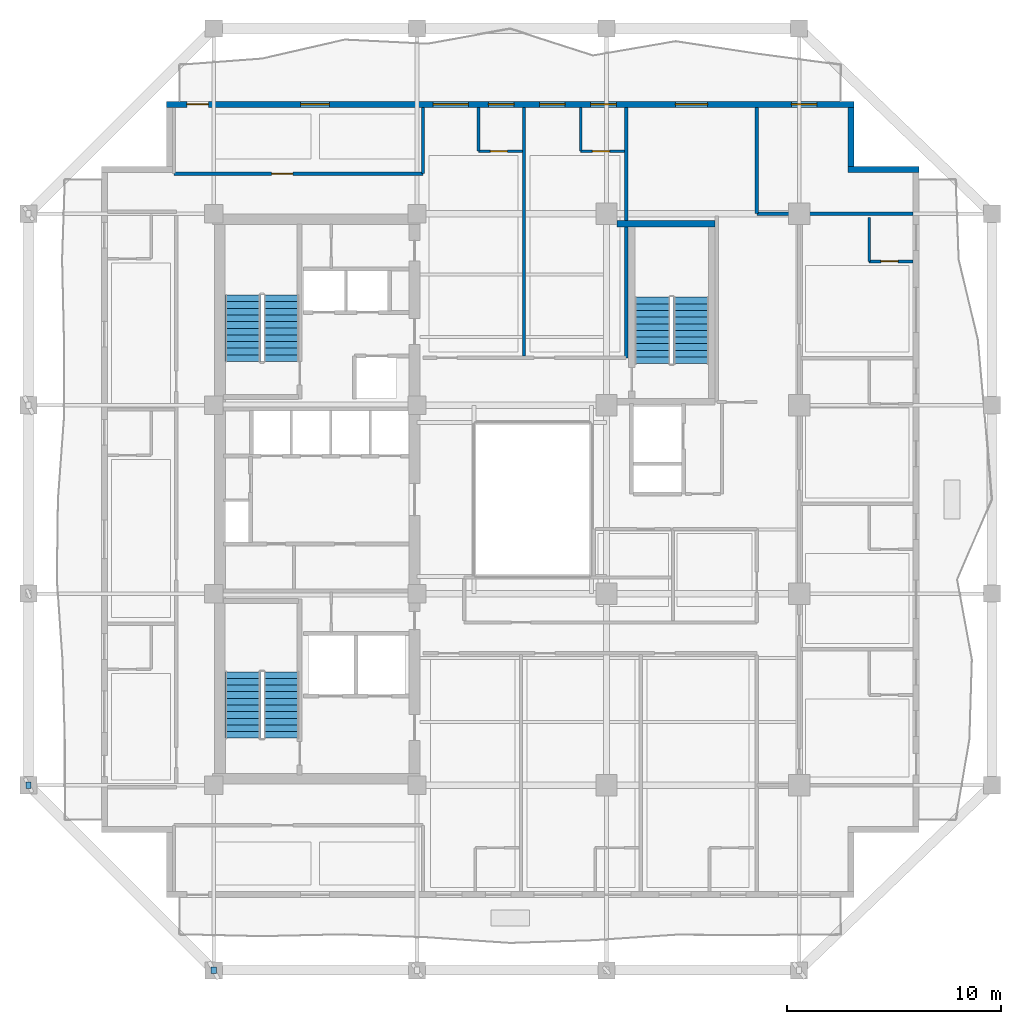
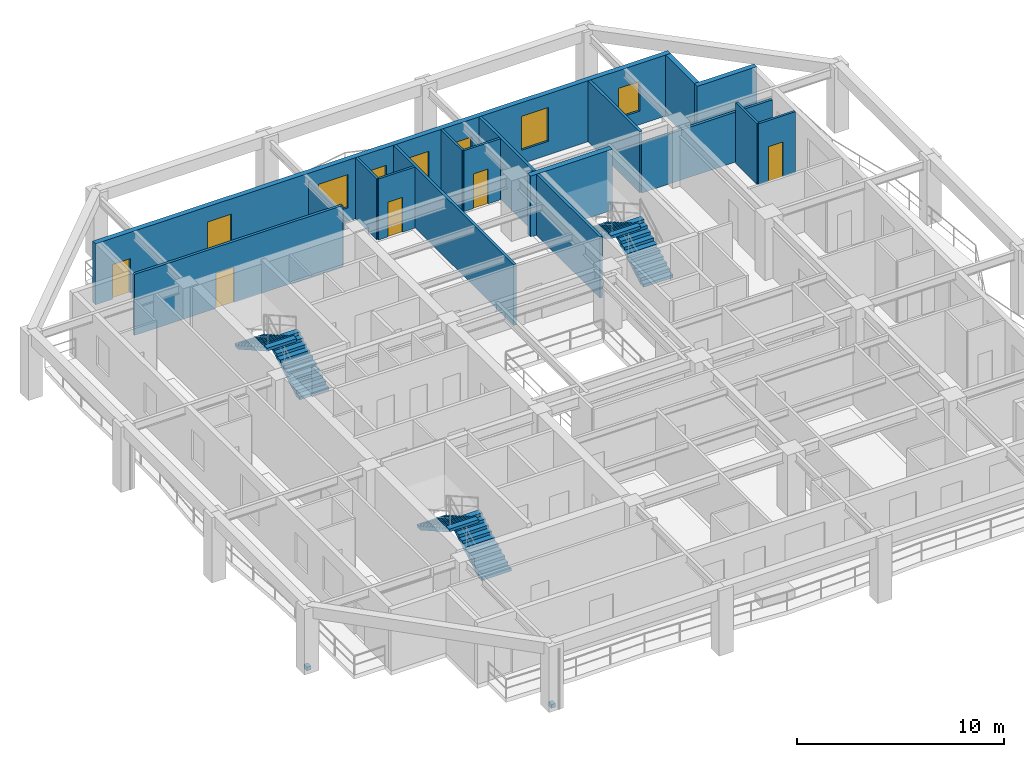
# One storey, part 7 of 12: 16 walls, 7 windows, 6 stair flights, 5 doors, 2 discrete accessories, 12 openings, 3 elements without a shape of their own.
"""IFC4 building model written with IfcOpenShell, lengths in metres."""

from ifc_helpers import new_model, si_unit, direction, frame, frame_2d, origin, origin_2d, place, context, subcontext, project, spatial, polyline, rectangle, outline, extrude, material, layer, layer_set, type_object, element, fill, aggregate, save


model = new_model("IFC4")

# Units and contexts
model_context = context("Model", 3, precision=1e-05, world=origin(), true_north=direction((0.0, 1.0)))
body_context = subcontext(model_context, "Body", "Model", "MODEL_VIEW")
ifc_project = project(units=[si_unit("LENGTHUNIT", "METRE"), si_unit("AREAUNIT", "SQUARE_METRE"), si_unit("VOLUMEUNIT", "CUBIC_METRE"), si_unit("PLANEANGLEUNIT", "RADIAN"), si_unit("MASSUNIT", "GRAM", prefix="KILO")], contexts=[model_context])

# Site, building, storey
site_placement = place(None, origin())
site = spatial("IfcSite", under=ifc_project, at=site_placement, CompositionType="ELEMENT")
building_placement = place(site_placement, origin())
building = spatial("IfcBuilding", under=site, at=building_placement, Name="Kundavana Baori Tower", CompositionType="ELEMENT")
storey_placement = place(building_placement, frame((0.0, 0.0, 134.800048828125)))
storey = spatial("IfcBuildingStorey", under=building, at=storey_placement, Name="L32", CompositionType="ELEMENT", Elevation=134.800048828125)

# Walls
ifc_material_1 = material(Name="Red-Buff Dholpur Sandstone Cladding on Concrete C40/50", Category="masonry")
ifc_layer_1 = layer(ifc_material_1, 0.280029296875, Name="WL-EXT-SAND-280")
ifc_layer_set_1 = layer_set([ifc_layer_1], Name="Red-Buff Dholpur Sandstone Cladding on Concrete C40/50")
wall_type_1 = type_object("IfcWallType", Name="WL-EXT-SAND-280", PredefinedType="STANDARD", material=ifc_layer_set_1)
wall_1_placement = place(storey_placement, frame((48.39990234375, 44.010009765625, 0.0), z_axis=(0.0, 0.0, 1.0), x_axis=(-1.0, 0.0, 0.0)))
element("IfcWall", 1, at=wall_1_placement, inside=storey, type_object=wall_type_1, Name="L32 Exterior Insulated Facade Wall 05", PredefinedType="STANDARD", context=body_context, shape_type="SweptSolid", body=[
    extrude(rectangle(XDim=3.329833984375, YDim=0.280029296875, at=frame_2d((1.6650390625, 0.0))), origin(), (0.0, 0.0, 1.0), 3.599853515625),
])
wall_2_placement = place(storey_placement, frame((45.2099609375, 44.14990234375, 0.0), z_axis=(0.0, 0.0, 1.0), x_axis=(0.0, 1.0, 0.0)))
element("IfcWall", 2, at=wall_2_placement, inside=storey, type_object=wall_type_1, Name="L32 Exterior Insulated Facade Wall 06", PredefinedType="STANDARD", context=body_context, shape_type="SweptSolid", body=[
    extrude(rectangle(XDim=2.77001953125, YDim=0.280029296875, at=frame_2d((1.385009765625, 0.0))), origin(), (0.0, 0.0, 1.0), 3.599853515625),
])

# Wall, openings, door, windows
wall_3_placement = place(storey_placement, frame((45.35009765625, 47.06005859375, 0.0), z_axis=(0.0, 0.0, 1.0), x_axis=(-1.0, 0.0, 0.0)))
wall_3 = element("IfcWall", 3, at=wall_3_placement, inside=storey, type_object=wall_type_1, Name="L32 Exterior Insulated Facade Wall 07", PredefinedType="STANDARD", context=body_context, shape_type="SweptSolid", body=[
    extrude(rectangle(XDim=32.10009765625, YDim=0.280029296875, at=frame_2d((16.050048828125, 0.0))), origin(), (0.0, 0.0, 1.0), 3.599853515625),
])
opening_1_placement = place(wall_3_placement, frame((30.14990234375, 0.0, 0.0)))
opening_1 = element("IfcOpeningElement", 4, at=opening_1_placement, cuts=wall_3, Name="Opening BD-1", PredefinedType="OPENING", context=body_context, shape_type="SweptSolid", body=[
    extrude(rectangle(XDim=1.0, YDim=2.050048828125, at=frame_2d((0.5, 1.02490234375))), frame((0.0, 0.14990234375, 0.0), z_axis=(0.0, -1.0, 0.0), x_axis=(1.0, 0.0, 0.0)), (0.0, 0.0, 1.0), 0.300048828125),
])
opening_2_placement = place(wall_3_placement, frame((24.4951171875, 0.0, 0.800048828125)))
opening_2 = element("IfcOpeningElement", 5, at=opening_2_placement, cuts=wall_3, Name="Opening W-07", PredefinedType="OPENING", context=body_context, shape_type="SweptSolid", body=[
    extrude(rectangle(XDim=1.35009765625, YDim=1.89990234375, at=frame_2d((0.675048828125, 0.949951171875))), frame((0.0, 0.14990234375, 0.0), z_axis=(0.0, -1.0, 0.0), x_axis=(1.0, 0.0, 0.0)), (0.0, 0.0, 1.0), 0.300048828125),
])
opening_3_placement = place(wall_3_placement, frame((18.0048828125, 0.0, 0.800048828125)))
opening_3 = element("IfcOpeningElement", 6, at=opening_3_placement, cuts=wall_3, Name="Opening W-08", PredefinedType="OPENING", context=body_context, shape_type="SweptSolid", body=[
    extrude(rectangle(XDim=1.64990234375, YDim=1.949951171875, at=frame_2d((0.824951171875, 0.97509765625))), frame((0.0, 0.14990234375, 0.0), z_axis=(0.0, -1.0, 0.0), x_axis=(1.0, 0.0, 0.0)), (0.0, 0.0, 1.0), 0.300048828125),
])
opening_4_placement = place(wall_3_placement, frame((15.864990234375, 0.0, 0.800048828125)))
opening_4 = element("IfcOpeningElement", 7, at=opening_4_placement, cuts=wall_3, Name="Opening W-03", PredefinedType="OPENING", context=body_context, shape_type="SweptSolid", body=[
    extrude(rectangle(XDim=1.199951171875, YDim=1.75, at=frame_2d((0.60009765625, 0.875))), frame((0.0, 0.14990234375, 0.0), z_axis=(0.0, -1.0, 0.0), x_axis=(1.0, 0.0, 0.0)), (0.0, 0.0, 1.0), 0.300048828125),
])
opening_5_placement = place(wall_3_placement, frame((13.47998046875, 0.0, 0.800048828125)))
opening_5 = element("IfcOpeningElement", 8, at=opening_5_placement, cuts=wall_3, Name="Opening W-03", PredefinedType="OPENING", context=body_context, shape_type="SweptSolid", body=[
    extrude(rectangle(XDim=1.199951171875, YDim=1.75, at=frame_2d((0.60009765625, 0.875))), frame((0.0, 0.14990234375, 0.0), z_axis=(0.0, -1.0, 0.0), x_axis=(1.0, 0.0, 0.0)), (0.0, 0.0, 1.0), 0.300048828125),
])
opening_6_placement = place(wall_3_placement, frame((11.094970703125, 0.0, 0.800048828125)))
opening_6 = element("IfcOpeningElement", 9, at=opening_6_placement, cuts=wall_3, Name="Opening W-03", PredefinedType="OPENING", context=body_context, shape_type="SweptSolid", body=[
    extrude(rectangle(XDim=1.199951171875, YDim=1.75, at=frame_2d((0.60009765625, 0.875))), frame((0.0, 0.14990234375, 0.0), z_axis=(0.0, -1.0, 0.0), x_axis=(1.0, 0.0, 0.0)), (0.0, 0.0, 1.0), 0.300048828125),
])
opening_7_placement = place(wall_3_placement, frame((6.830078125, 0.0, 0.800048828125)))
opening_7 = element("IfcOpeningElement", 10, at=opening_7_placement, cuts=wall_3, Name="Opening W-02", PredefinedType="OPENING", context=body_context, shape_type="SweptSolid", body=[
    extrude(rectangle(XDim=1.5, YDim=2.0, at=frame_2d((0.75, 1.0))), frame((0.0, 0.14990234375, 0.0), z_axis=(0.0, -1.0, 0.0), x_axis=(1.0, 0.0, 0.0)), (0.0, 0.0, 1.0), 0.300048828125),
])
opening_8_placement = place(wall_3_placement, frame((1.719970703125, 0.0, 0.800048828125)))
opening_8 = element("IfcOpeningElement", 11, at=opening_8_placement, cuts=wall_3, Name="Opening W-03", PredefinedType="OPENING", context=body_context, shape_type="SweptSolid", body=[
    extrude(rectangle(XDim=1.199951171875, YDim=1.75, at=frame_2d((0.60009765625, 0.875))), frame((0.0, 0.14990234375, 0.0), z_axis=(0.0, -1.0, 0.0), x_axis=(1.0, 0.0, 0.0)), (0.0, 0.0, 1.0), 0.300048828125),
])
ifc_material_2 = material(Name="Architectural Patinated Bronze Metalwork")
door_type_1 = type_object("IfcDoorType", Name="DR-EXT-LOG-1000", OperationType="NOTDEFINED", PredefinedType="DOOR", material=ifc_material_2)
door_1_placement = place(opening_1_placement, frame((1.0, 0.0, 0.0), z_axis=(0.0, 0.0, 1.0), x_axis=(-1.0, 0.0, 0.0)))
door_1 = element("IfcDoor", 12, at=door_1_placement, inside=storey, type_object=door_type_1, Name="L32 Loggia Balcony Access Door N", OperationType="SINGLE_SWING_LEFT", OverallHeight=2.050048828125, OverallWidth=1.0, PredefinedType="DOOR", context=body_context, shape_type="SweptSolid", body=[
    extrude(rectangle(XDim=1.0, YDim=2.050048828125, at=frame_2d((0.5, 1.02490234375))), frame((0.0, 0.02490234375, 0.0), z_axis=(0.0, -1.0, 0.0), x_axis=(1.0, 0.0, 0.0)), (0.0, 0.0, 1.0), 0.050048828125),
])
fill(opening_1, door_1)
ifc_material_3 = material(Name="Double-Glazed Solar-Control Low-E Insulated Glass", Category="glass")
window_type_1 = type_object("IfcWindowType", Name="WIN-LOG-1200x1750", PartitioningType="SINGLE_PANEL", PredefinedType="WINDOW", material=ifc_material_3)
window_1_placement = place(opening_4_placement, origin())
window_1 = element("IfcWindow", 13, at=window_1_placement, inside=storey, type_object=window_type_1, Name="L32 Recessed Loggia Window N-3", OverallHeight=1.75, OverallWidth=1.199951171875, PartitioningType="SINGLE_PANEL", PredefinedType="WINDOW", context=body_context, shape_type="SweptSolid", body=[
    extrude(rectangle(XDim=1.199951171875, YDim=1.75, at=frame_2d((0.60009765625, 0.875))), frame((0.0, 0.030029296875, 0.0), z_axis=(0.0, -1.0, 0.0), x_axis=(1.0, 0.0, 0.0)), (0.0, 0.0, 1.0), 0.06005859375),
])
fill(opening_4, window_1)
window_2_placement = place(opening_5_placement, origin())
window_2 = element("IfcWindow", 14, at=window_2_placement, inside=storey, type_object=window_type_1, Name="L32 Recessed Loggia Window N-4", OverallHeight=1.75, OverallWidth=1.199951171875, PartitioningType="SINGLE_PANEL", PredefinedType="WINDOW", context=body_context, shape_type="SweptSolid", body=[
    extrude(rectangle(XDim=1.199951171875, YDim=1.75, at=frame_2d((0.60009765625, 0.875))), frame((0.0, 0.030029296875, 0.0), z_axis=(0.0, -1.0, 0.0), x_axis=(1.0, 0.0, 0.0)), (0.0, 0.0, 1.0), 0.06005859375),
])
fill(opening_5, window_2)
window_3_placement = place(opening_6_placement, origin())
window_3 = element("IfcWindow", 15, at=window_3_placement, inside=storey, type_object=window_type_1, Name="L32 Recessed Loggia Window N-5", OverallHeight=1.75, OverallWidth=1.199951171875, PartitioningType="SINGLE_PANEL", PredefinedType="WINDOW", context=body_context, shape_type="SweptSolid", body=[
    extrude(rectangle(XDim=1.199951171875, YDim=1.75, at=frame_2d((0.60009765625, 0.875))), frame((0.0, 0.030029296875, 0.0), z_axis=(0.0, -1.0, 0.0), x_axis=(1.0, 0.0, 0.0)), (0.0, 0.0, 1.0), 0.06005859375),
])
fill(opening_6, window_3)
window_4_placement = place(opening_8_placement, origin())
window_4 = element("IfcWindow", 16, at=window_4_placement, inside=storey, type_object=window_type_1, Name="L32 Recessed Loggia Window N-7", OverallHeight=1.75, OverallWidth=1.199951171875, PartitioningType="SINGLE_PANEL", PredefinedType="WINDOW", context=body_context, shape_type="SweptSolid", body=[
    extrude(rectangle(XDim=1.199951171875, YDim=1.75, at=frame_2d((0.60009765625, 0.875))), frame((0.0, 0.030029296875, 0.0), z_axis=(0.0, -1.0, 0.0), x_axis=(1.0, 0.0, 0.0)), (0.0, 0.0, 1.0), 0.06005859375),
])
fill(opening_8, window_4)
ifc_material_4 = material(Name="Double-Glazed Solar-Control Low-E Insulated Glass", Category="glass")
window_type_2 = type_object("IfcWindowType", Name="WIN-LOG-1350x1900", PartitioningType="SINGLE_PANEL", PredefinedType="WINDOW", material=ifc_material_4)
window_5_placement = place(opening_2_placement, origin())
window_5 = element("IfcWindow", 17, at=window_5_placement, inside=storey, type_object=window_type_2, Name="L32 Recessed Loggia Window N-1", OverallHeight=1.89990234375, OverallWidth=1.35009765625, PartitioningType="SINGLE_PANEL", PredefinedType="WINDOW", context=body_context, shape_type="SweptSolid", body=[
    extrude(rectangle(XDim=1.35009765625, YDim=1.89990234375, at=frame_2d((0.675048828125, 0.949951171875))), frame((0.0, 0.030029296875, 0.0), z_axis=(0.0, -1.0, 0.0), x_axis=(1.0, 0.0, 0.0)), (0.0, 0.0, 1.0), 0.06005859375),
])
fill(opening_2, window_5)
ifc_material_5 = material(Name="Double-Glazed Solar-Control Low-E Insulated Glass", Category="glass")
window_type_3 = type_object("IfcWindowType", Name="WIN-LOG-1500x2000", PartitioningType="SINGLE_PANEL", PredefinedType="WINDOW", material=ifc_material_5)
window_6_placement = place(opening_7_placement, origin())
window_6 = element("IfcWindow", 18, at=window_6_placement, inside=storey, type_object=window_type_3, Name="L32 Recessed Loggia Window N-6", OverallHeight=2.0, OverallWidth=1.5, PartitioningType="SINGLE_PANEL", PredefinedType="WINDOW", context=body_context, shape_type="SweptSolid", body=[
    extrude(rectangle(XDim=1.5, YDim=2.0, at=frame_2d((0.75, 1.0))), frame((0.0, 0.030029296875, 0.0), z_axis=(0.0, -1.0, 0.0), x_axis=(1.0, 0.0, 0.0)), (0.0, 0.0, 1.0), 0.06005859375),
])
fill(opening_7, window_6)
ifc_material_6 = material(Name="Double-Glazed Solar-Control Low-E Insulated Glass", Category="glass")
window_type_4 = type_object("IfcWindowType", Name="WIN-LOG-1650x1950", PartitioningType="SINGLE_PANEL", PredefinedType="WINDOW", material=ifc_material_6)
window_7_placement = place(opening_3_placement, origin())
window_7 = element("IfcWindow", 19, at=window_7_placement, inside=storey, type_object=window_type_4, Name="L32 Recessed Loggia Window N-2", OverallHeight=1.949951171875, OverallWidth=1.64990234375, PartitioningType="SINGLE_PANEL", PredefinedType="WINDOW", context=body_context, shape_type="SweptSolid", body=[
    extrude(rectangle(XDim=1.64990234375, YDim=1.949951171875, at=frame_2d((0.824951171875, 0.97509765625))), frame((0.0, 0.030029296875, 0.0), z_axis=(0.0, -1.0, 0.0), x_axis=(1.0, 0.0, 0.0)), (0.0, 0.0, 1.0), 0.06005859375),
])
fill(opening_3, window_7)

# Wall
ifc_material_7 = material(Name="Fire-Rated Gypsum Drywall on Galvanised Steel Studs", Category="steel")
ifc_layer_2 = layer(ifc_material_7, 0.14990234375, Name="WL-PART-150")
ifc_layer_set_2 = layer_set([ifc_layer_2], Name="Fire-Rated Gypsum Drywall on Galvanised Steel Studs")
wall_type_2 = type_object("IfcWallType", Name="WL-PART-150", PredefinedType="PARTITIONING", material=ifc_layer_set_2)
wall_4_placement = place(storey_placement, frame((40.820068359375, 41.949951171875, 0.0), z_axis=(0.0, 0.0, 1.0), x_axis=(1.0, 0.0, 0.0)))
element("IfcWall", 20, at=wall_4_placement, inside=storey, type_object=wall_type_2, Name="WL-L32-HEN", PredefinedType="PARTITIONING", context=body_context, shape_type="SweptSolid", body=[
    extrude(rectangle(XDim=7.300048828125, YDim=0.14990234375, at=frame_2d((3.64990234375, 0.0))), origin(), (0.0, 0.0, 1.0), 2.949951171875),
])

# Wall, opening, door
wall_5_placement = place(storey_placement, frame((13.590087890625, 43.820068359375, 0.0), z_axis=(0.0, 0.0, 1.0), x_axis=(1.0, 0.0, 0.0)))
wall_5 = element("IfcWall", 21, at=wall_5_placement, inside=storey, type_object=wall_type_2, Name="WL-L32-HNC", PredefinedType="PARTITIONING", context=body_context, shape_type="SweptSolid", body=[
    extrude(rectangle(XDim=11.6298828125, YDim=0.14990234375, at=frame_2d((5.81494140625, 0.0))), origin(), (0.0, 0.0, 1.0), 3.599853515625),
])
opening_9_placement = place(wall_5_placement, frame((4.56005859375, 0.0, 0.0)))
opening_9 = element("IfcOpeningElement", 22, at=opening_9_placement, cuts=wall_5, Name="Opening ID-100", PredefinedType="OPENING", context=body_context, shape_type="SweptSolid", body=[
    extrude(rectangle(XDim=1.0, YDim=2.080078125, at=frame_2d((0.5, 1.0400390625))), frame((0.0, 0.0849609375, 0.0), z_axis=(0.0, -1.0, 0.0), x_axis=(1.0, 0.0, 0.0)), (0.0, 0.0, 1.0), 0.169921875),
])
ifc_material_8 = material(Name="Engineered Teak Solid-Core Timber Veneer", Category="wood")
door_type_2 = type_object("IfcDoorType", Name="DR-INT-1000", OperationType="NOTDEFINED", PredefinedType="DOOR", material=ifc_material_8)
door_2_placement = place(opening_9_placement, origin())
door_2 = element("IfcDoor", 23, at=door_2_placement, inside=storey, type_object=door_type_2, Name="DR-L32-HMNW", OperationType="SINGLE_SWING_RIGHT", OverallHeight=2.080078125, OverallWidth=1.0, PredefinedType="DOOR", context=body_context, shape_type="SweptSolid", body=[
    extrude(rectangle(XDim=1.0, YDim=2.080078125, at=frame_2d((0.5, 1.0400390625))), frame((0.0, 0.02490234375, 0.0), z_axis=(0.0, -1.0, 0.0), x_axis=(1.0, 0.0, 0.0)), (0.0, 0.0, 1.0), 0.050048828125),
])
fill(opening_9, door_2)

# Walls
wall_6_placement = place(storey_placement, frame((25.219970703125, 43.820068359375, 0.0), z_axis=(0.0, 0.0, 1.0), x_axis=(0.0, 1.0, 0.0)))
element("IfcWall", 24, at=wall_6_placement, inside=storey, type_object=wall_type_2, Name="WL-L32-HNCE", PredefinedType="PARTITIONING", context=body_context, shape_type="SweptSolid", body=[
    extrude(rectangle(XDim=3.099853515625, YDim=0.14990234375, at=frame_2d((1.5498046875, 0.0))), origin(), (0.0, 0.0, 1.0), 3.099853515625),
])
wall_7_placement = place(storey_placement, frame((34.719970703125, 35.219970703125, 0.0), z_axis=(0.0, 0.0, 1.0), x_axis=(0.0, 1.0, 0.0)))
element("IfcWall", 25, at=wall_7_placement, inside=storey, type_object=wall_type_2, Name="WL-L32-HNEND", PredefinedType="PARTITIONING", context=body_context, shape_type="SweptSolid", body=[
    extrude(rectangle(XDim=11.699951171875, YDim=0.14990234375, at=frame_2d((5.85009765625, 0.0))), origin(), (0.0, 0.0, 1.0), 3.599853515625),
])
wall_8_placement = place(storey_placement, frame((29.949951171875, 35.300048828125, 0.0), z_axis=(0.0, 0.0, 1.0), x_axis=(0.0, 1.0, 0.0)))
element("IfcWall", 26, at=wall_8_placement, inside=storey, type_object=wall_type_2, Name="WL-L32-HND1", PredefinedType="PARTITIONING", context=body_context, shape_type="SweptSolid", body=[
    extrude(rectangle(XDim=11.619873046875, YDim=0.14990234375, at=frame_2d((5.81005859375, 0.0))), origin(), (0.0, 0.0, 1.0), 3.599853515625),
])
wall_9_placement = place(storey_placement, frame((40.820068359375, 41.949951171875, 0.0), z_axis=(0.0, 0.0, 1.0), x_axis=(0.0, 1.0, 0.0)))
element("IfcWall", 27, at=wall_9_placement, inside=storey, type_object=wall_type_2, Name="WL-L32-HNEE", PredefinedType="PARTITIONING", context=body_context, shape_type="SweptSolid", body=[
    extrude(rectangle(XDim=4.969970703125, YDim=0.14990234375, at=frame_2d((2.48486328125, 0.0))), origin(), (0.0, 0.0, 1.0), 3.599853515625),
])
ifc_material_9 = material(Name="Concrete C50/60", Category="concrete")
ifc_layer_3 = layer(ifc_material_9, 0.300048828125, Name="WL-ST3-300")
ifc_layer_set_3 = layer_set([ifc_layer_3], Name="Concrete C50/60")
wall_type_3 = type_object("IfcWallType", Name="WL-ST3-300", PredefinedType="SHEAR", material=ifc_layer_set_3)
wall_10_placement = place(storey_placement, frame((34.300048828125, 41.489990234375, 0.0), z_axis=(0.0, 0.0, 1.0), x_axis=(1.0, 0.0, 0.0)))
element("IfcWall", 28, at=wall_10_placement, inside=storey, type_object=wall_type_3, Name="L32 Stair ST3 North Shear Wall", PredefinedType="SHEAR", context=body_context, shape_type="SweptSolid", body=[
    extrude(rectangle(XDim=4.570068359375, YDim=0.300048828125, at=frame_2d((2.28515625, 0.0))), origin(), (0.0, 0.0, 1.0), 3.599853515625),
])
ifc_material_10 = material(Name="Autoclaved Aerated Concrete Blockwork Masonry", Category="masonry")
ifc_layer_4 = layer(ifc_material_10, 0.125, Name="WL-WET-120")
ifc_layer_set_4 = layer_set([ifc_layer_4], Name="Autoclaved Aerated Concrete Blockwork Masonry")
wall_type_4 = type_object("IfcWallType", Name="WL-WET-120", PredefinedType="PLUMBINGWALL", material=ifc_layer_set_4)
wall_11_placement = place(storey_placement, frame((46.070068359375, 39.719970703125, 0.0), z_axis=(0.0, 0.0, 1.0), x_axis=(0.0, 1.0, 0.0)))
element("IfcWall", 29, at=wall_11_placement, inside=storey, type_object=wall_type_4, Name="WL-L32-HK-E4-BW", PredefinedType="PLUMBINGWALL", context=body_context, shape_type="SweptSolid", body=[
    extrude(rectangle(XDim=2.050048828125, YDim=0.125, at=frame_2d((1.02490234375, 0.0))), origin(), (0.0, 0.0, 1.0), 3.599853515625),
])

# Wall, opening, door
wall_12_placement = place(storey_placement, frame((46.070068359375, 39.719970703125, 0.0), z_axis=(0.0, 0.0, 1.0), x_axis=(1.0, 0.0, 0.0)))
wall_12 = element("IfcWall", 30, at=wall_12_placement, inside=storey, type_object=wall_type_4, Name="WL-L32-HK-E4-BS", PredefinedType="PLUMBINGWALL", context=body_context, shape_type="SweptSolid", body=[
    extrude(rectangle(XDim=2.050048828125, YDim=0.125, at=frame_2d((1.02490234375, 0.0))), origin(), (0.0, 0.0, 1.0), 3.599853515625),
])
opening_10_placement = place(wall_12_placement, frame((0.550048828125, 0.0, 0.0)))
opening_10 = element("IfcOpeningElement", 31, at=opening_10_placement, cuts=wall_12, Name="Opening WD-080", PredefinedType="OPENING", context=body_context, shape_type="SweptSolid", body=[
    extrude(rectangle(XDim=0.800048828125, YDim=2.050048828125, at=frame_2d((0.39990234375, 1.02490234375))), frame((0.0, 0.072509765625, 0.0), z_axis=(0.0, -1.0, 0.0), x_axis=(1.0, 0.0, 0.0)), (0.0, 0.0, 1.0), 0.14501953125),
])
ifc_material_11 = material(Name="Engineered Teak Solid-Core Timber Veneer", Category="wood")
door_type_3 = type_object("IfcDoorType", Name="DR-WET-800", OperationType="NOTDEFINED", PredefinedType="DOOR", material=ifc_material_11)
door_3_placement = place(opening_10_placement, frame((0.800048828125, 0.0, 0.0), z_axis=(0.0, 0.0, 1.0), x_axis=(-1.0, 0.0, 0.0)))
door_3 = element("IfcDoor", 32, at=door_3_placement, inside=storey, type_object=door_type_3, Name="DR-L32-HK-E4-ENS", OperationType="SINGLE_SWING_LEFT", OverallHeight=2.050048828125, OverallWidth=0.800048828125, PredefinedType="DOOR", context=body_context, shape_type="SweptSolid", body=[
    extrude(rectangle(XDim=0.800048828125, YDim=2.050048828125, at=frame_2d((0.39990234375, 1.02490234375))), frame((0.0, 0.02490234375, 0.0), z_axis=(0.0, -1.0, 0.0), x_axis=(1.0, 0.0, 0.0)), (0.0, 0.0, 1.0), 0.050048828125),
])
fill(opening_10, door_3)

# Wall
wall_13_placement = place(storey_placement, frame((27.820068359375, 44.8701171875, 0.0), z_axis=(0.0, 0.0, 1.0), x_axis=(0.0, 1.0, 0.0)))
element("IfcWall", 33, at=wall_13_placement, inside=storey, type_object=wall_type_4, Name="WL-L32-HK-N1-BW", PredefinedType="PLUMBINGWALL", context=body_context, shape_type="SweptSolid", body=[
    extrude(rectangle(XDim=2.0498046875, YDim=0.125, at=frame_2d((1.02490234375, 0.0))), origin(), (0.0, 0.0, 1.0), 3.599853515625),
])

# Wall, opening, door
wall_14_placement = place(storey_placement, frame((27.820068359375, 44.8701171875, 0.0), z_axis=(0.0, 0.0, 1.0), x_axis=(1.0, 0.0, 0.0)))
wall_14 = element("IfcWall", 34, at=wall_14_placement, inside=storey, type_object=wall_type_4, Name="WL-L32-HK-N1-BS", PredefinedType="PLUMBINGWALL", context=body_context, shape_type="SweptSolid", body=[
    extrude(rectangle(XDim=2.050048828125, YDim=0.125, at=frame_2d((1.02490234375, 0.0))), origin(), (0.0, 0.0, 1.0), 3.599853515625),
])
opening_11_placement = place(wall_14_placement, frame((0.550048828125, 0.0, 0.0)))
opening_11 = element("IfcOpeningElement", 35, at=opening_11_placement, cuts=wall_14, Name="Opening WD-080", PredefinedType="OPENING", context=body_context, shape_type="SweptSolid", body=[
    extrude(rectangle(XDim=0.800048828125, YDim=2.050048828125, at=frame_2d((0.39990234375, 1.02490234375))), frame((0.0, 0.072509765625, 0.0), z_axis=(0.0, -1.0, 0.0), x_axis=(1.0, 0.0, 0.0)), (0.0, 0.0, 1.0), 0.14501953125),
])
door_4_placement = place(opening_11_placement, frame((0.800048828125, 0.0, 0.0), z_axis=(0.0, 0.0, 1.0), x_axis=(-1.0, 0.0, 0.0)))
door_4 = element("IfcDoor", 36, at=door_4_placement, inside=storey, type_object=door_type_3, Name="DR-L32-HK-N1-ENS", OperationType="SINGLE_SWING_LEFT", OverallHeight=2.050048828125, OverallWidth=0.800048828125, PredefinedType="DOOR", context=body_context, shape_type="SweptSolid", body=[
    extrude(rectangle(XDim=0.800048828125, YDim=2.050048828125, at=frame_2d((0.39990234375, 1.02490234375))), frame((0.0, 0.02490234375, 0.0), z_axis=(0.0, -1.0, 0.0), x_axis=(1.0, 0.0, 0.0)), (0.0, 0.0, 1.0), 0.050048828125),
])
fill(opening_11, door_4)

# Wall
wall_15_placement = place(storey_placement, frame((32.590087890625, 44.8701171875, 0.0), z_axis=(0.0, 0.0, 1.0), x_axis=(0.0, 1.0, 0.0)))
element("IfcWall", 37, at=wall_15_placement, inside=storey, type_object=wall_type_4, Name="WL-L32-HK-N2-BW", PredefinedType="PLUMBINGWALL", context=body_context, shape_type="SweptSolid", body=[
    extrude(rectangle(XDim=2.0498046875, YDim=0.125, at=frame_2d((1.02490234375, 0.0))), origin(), (0.0, 0.0, 1.0), 3.599853515625),
])

# Wall, opening, door
wall_16_placement = place(storey_placement, frame((32.590087890625, 44.8701171875, 0.0), z_axis=(0.0, 0.0, 1.0), x_axis=(1.0, 0.0, 0.0)))
wall_16 = element("IfcWall", 38, at=wall_16_placement, inside=storey, type_object=wall_type_4, Name="WL-L32-HK-N2-BS", PredefinedType="PLUMBINGWALL", context=body_context, shape_type="SweptSolid", body=[
    extrude(rectangle(XDim=2.0498046875, YDim=0.125, at=frame_2d((1.02490234375, 0.0))), origin(), (0.0, 0.0, 1.0), 3.599853515625),
])
opening_12_placement = place(wall_16_placement, frame((0.550048828125, 0.0, 0.0)))
opening_12 = element("IfcOpeningElement", 39, at=opening_12_placement, cuts=wall_16, Name="Opening WD-080", PredefinedType="OPENING", context=body_context, shape_type="SweptSolid", body=[
    extrude(rectangle(XDim=0.800048828125, YDim=2.050048828125, at=frame_2d((0.39990234375, 1.02490234375))), frame((0.0, 0.072509765625, 0.0), z_axis=(0.0, -1.0, 0.0), x_axis=(1.0, 0.0, 0.0)), (0.0, 0.0, 1.0), 0.14501953125),
])
door_5_placement = place(opening_12_placement, frame((0.800048828125, 0.0, 0.0), z_axis=(0.0, 0.0, 1.0), x_axis=(-1.0, 0.0, 0.0)))
door_5 = element("IfcDoor", 40, at=door_5_placement, inside=storey, type_object=door_type_3, Name="DR-L32-HK-N2-ENS", OperationType="SINGLE_SWING_LEFT", OverallHeight=2.050048828125, OverallWidth=0.800048828125, PredefinedType="DOOR", context=body_context, shape_type="SweptSolid", body=[
    extrude(rectangle(XDim=0.800048828125, YDim=2.050048828125, at=frame_2d((0.39990234375, 1.02490234375))), frame((0.0, 0.02490234375, 0.0), z_axis=(0.0, -1.0, 0.0), x_axis=(1.0, 0.0, 0.0)), (0.0, 0.0, 1.0), 0.050048828125),
])
fill(opening_12, door_5)

# Stair, stair flights
ifc_material_12 = material(Name="Concrete C40/50", Category="concrete")
stair_type = type_object("IfcStairType", Name="STR-DOG-1650", PredefinedType="HALF_TURN_STAIR", material=ifc_material_12)
stair_1_placement = place(storey_placement, origin())
stair_1 = element("IfcStair", 41, at=stair_1_placement, inside=storey, type_object=stair_type, Name="L32 Protected Exit Stair ST1", PredefinedType="HALF_TURN_STAIR")
ifc_material_13 = material(Name="Concrete C40/50", Category="concrete")
stair_flight_type = type_object("IfcStairFlightType", Name="SFL-RC-1650", PredefinedType="STRAIGHT", material=ifc_material_13)
stair_flight_1_placement = place(storey_placement, frame((18.614990234375, 17.449951171875, 0.0), z_axis=(0.0, 0.0, 1.0), x_axis=(0.0, 1.0, 0.0)))
stair_flight_1 = element("IfcStairFlight", 42, at=stair_flight_1_placement, type_object=stair_flight_type, Name="ST1 flight 1", NumberOfRisers=11, NumberOfTreads=10, PredefinedType="STRAIGHT", RiserHeight=0.175, TreadLength=0.31, context=body_context, shape_type="SweptSolid", body=[
    extrude(outline(polyline([(0.0, 0.0), (0.0, 0.175048828125), (0.31005859375, 0.175048828125), (0.31005859375, 0.35009765625), (0.6201171875, 0.35009765625), (0.6201171875, 0.52490234375), (0.929931640625, 0.52490234375), (0.929931640625, 0.699951171875), (1.239990234375, 0.699951171875), (1.239990234375, 0.875), (1.550048828125, 0.875), (1.550048828125, 1.050048828125), (1.860107421875, 1.050048828125), (1.860107421875, 1.22509765625), (2.169921875, 1.22509765625), (2.169921875, 1.39990234375), (2.47998046875, 1.39990234375), (2.47998046875, 1.574951171875), (2.7900390625, 1.574951171875), (2.7900390625, 1.75), (3.10009765625, 1.75), (3.10009765625, 1.925048828125), (3.10009765625, 1.577880859375), (0.304931640625, 0.0), (0.0, 0.0)])), frame((0.0, 0.824951171875, 0.0), z_axis=(0.0, -1.0, 0.0), x_axis=(1.0, 0.0, 0.0)), (0.0, 0.0, 1.0), 1.64990234375),
])
stair_flight_2_placement = place(storey_placement, frame((16.804931640625, 20.550048828125, 1.925048828125), z_axis=(0.0, 0.0, 1.0), x_axis=(0.0, -1.0, 0.0)))
stair_flight_2 = element("IfcStairFlight", 43, at=stair_flight_2_placement, type_object=stair_flight_type, Name="ST1 flight 2", NumberOfRisers=11, NumberOfTreads=10, PredefinedType="STRAIGHT", RiserHeight=0.175, TreadLength=0.31, context=body_context, shape_type="SweptSolid", body=[
    extrude(outline(polyline([(0.0, 0.0), (0.0, 0.175048828125), (0.31005859375, 0.175048828125), (0.31005859375, 0.35009765625), (0.6201171875, 0.35009765625), (0.6201171875, 0.52490234375), (0.929931640625, 0.52490234375), (0.929931640625, 0.699951171875), (1.239990234375, 0.699951171875), (1.239990234375, 0.875), (1.550048828125, 0.875), (1.550048828125, 1.050048828125), (1.860107421875, 1.050048828125), (1.860107421875, 1.22509765625), (2.169921875, 1.22509765625), (2.169921875, 1.39990234375), (2.47998046875, 1.39990234375), (2.47998046875, 1.574951171875), (2.7900390625, 1.574951171875), (2.7900390625, 1.75), (3.10009765625, 1.75), (3.10009765625, 1.925048828125), (3.10009765625, 1.577880859375), (0.304931640625, 0.0), (0.0, 0.0)])), frame((0.0, 0.824951171875, 0.0), z_axis=(0.0, -1.0, 0.0), x_axis=(1.0, 0.0, 0.0)), (0.0, 0.0, 1.0), 1.64990234375),
])
aggregate(stair_1, [stair_flight_1, stair_flight_2])

stair_2_placement = place(storey_placement, origin())
stair_2 = element("IfcStair", 44, at=stair_2_placement, inside=storey, type_object=stair_type, Name="L32 Protected Exit Stair ST2", PredefinedType="HALF_TURN_STAIR")
stair_flight_3_placement = place(storey_placement, frame((18.614990234375, 35.050048828125, 0.0), z_axis=(0.0, 0.0, 1.0), x_axis=(0.0, 1.0, 0.0)))
stair_flight_3 = element("IfcStairFlight", 45, at=stair_flight_3_placement, type_object=stair_flight_type, Name="ST2 flight 1", NumberOfRisers=11, NumberOfTreads=10, PredefinedType="STRAIGHT", RiserHeight=0.175, TreadLength=0.31, context=body_context, shape_type="SweptSolid", body=[
    extrude(outline(polyline([(0.0, 0.0), (0.0, 0.175048828125), (0.31005859375, 0.175048828125), (0.31005859375, 0.35009765625), (0.6201171875, 0.35009765625), (0.6201171875, 0.52490234375), (0.929931640625, 0.52490234375), (0.929931640625, 0.699951171875), (1.239990234375, 0.699951171875), (1.239990234375, 0.875), (1.550048828125, 0.875), (1.550048828125, 1.050048828125), (1.860107421875, 1.050048828125), (1.860107421875, 1.22509765625), (2.169921875, 1.22509765625), (2.169921875, 1.39990234375), (2.47998046875, 1.39990234375), (2.47998046875, 1.574951171875), (2.7900390625, 1.574951171875), (2.7900390625, 1.75), (3.10009765625, 1.75), (3.10009765625, 1.925048828125), (3.10009765625, 1.577880859375), (0.304931640625, 0.0), (0.0, 0.0)])), frame((0.0, 0.824951171875, 0.0), z_axis=(0.0, -1.0, 0.0), x_axis=(1.0, 0.0, 0.0)), (0.0, 0.0, 1.0), 1.64990234375),
])
stair_flight_4_placement = place(storey_placement, frame((16.804931640625, 38.14990234375, 1.925048828125), z_axis=(0.0, 0.0, 1.0), x_axis=(0.0, -1.0, 0.0)))
stair_flight_4 = element("IfcStairFlight", 46, at=stair_flight_4_placement, type_object=stair_flight_type, Name="ST2 flight 2", NumberOfRisers=11, NumberOfTreads=10, PredefinedType="STRAIGHT", RiserHeight=0.175, TreadLength=0.31, context=body_context, shape_type="SweptSolid", body=[
    extrude(outline(polyline([(0.0, 0.0), (0.0, 0.175048828125), (0.31005859375, 0.175048828125), (0.31005859375, 0.35009765625), (0.6201171875, 0.35009765625), (0.6201171875, 0.52490234375), (0.929931640625, 0.52490234375), (0.929931640625, 0.699951171875), (1.239990234375, 0.699951171875), (1.239990234375, 0.875), (1.550048828125, 0.875), (1.550048828125, 1.050048828125), (1.860107421875, 1.050048828125), (1.860107421875, 1.22509765625), (2.169921875, 1.22509765625), (2.169921875, 1.39990234375), (2.47998046875, 1.39990234375), (2.47998046875, 1.574951171875), (2.7900390625, 1.574951171875), (2.7900390625, 1.75), (3.10009765625, 1.75), (3.10009765625, 1.925048828125), (3.10009765625, 1.577880859375), (0.304931640625, 0.0), (0.0, 0.0)])), frame((0.0, 0.824951171875, 0.0), z_axis=(0.0, -1.0, 0.0), x_axis=(1.0, 0.0, 0.0)), (0.0, 0.0, 1.0), 1.64990234375),
])
aggregate(stair_2, [stair_flight_3, stair_flight_4])

stair_3_placement = place(storey_placement, origin())
stair_3 = element("IfcStair", 47, at=stair_3_placement, inside=storey, type_object=stair_type, Name="L32 Protected Exit Stair ST3", PredefinedType="HALF_TURN_STAIR")
stair_flight_5_placement = place(storey_placement, frame((37.7548828125, 34.949951171875, 0.0), z_axis=(0.0, 0.0, 1.0), x_axis=(0.0, 1.0, 0.0)))
stair_flight_5 = element("IfcStairFlight", 48, at=stair_flight_5_placement, type_object=stair_flight_type, Name="ST3 flight 1", NumberOfRisers=11, NumberOfTreads=10, PredefinedType="STRAIGHT", RiserHeight=0.175, TreadLength=0.31, context=body_context, shape_type="SweptSolid", body=[
    extrude(outline(polyline([(0.0, 0.0), (0.0, 0.175048828125), (0.31005859375, 0.175048828125), (0.31005859375, 0.35009765625), (0.6201171875, 0.35009765625), (0.6201171875, 0.52490234375), (0.929931640625, 0.52490234375), (0.929931640625, 0.699951171875), (1.239990234375, 0.699951171875), (1.239990234375, 0.875), (1.550048828125, 0.875), (1.550048828125, 1.050048828125), (1.860107421875, 1.050048828125), (1.860107421875, 1.22509765625), (2.169921875, 1.22509765625), (2.169921875, 1.39990234375), (2.47998046875, 1.39990234375), (2.47998046875, 1.574951171875), (2.7900390625, 1.574951171875), (2.7900390625, 1.75), (3.10009765625, 1.75), (3.10009765625, 1.925048828125), (3.10009765625, 1.577880859375), (0.304931640625, 0.0), (0.0, 0.0)])), frame((0.0, 0.824951171875, 0.0), z_axis=(0.0, -1.0, 0.0), x_axis=(1.0, 0.0, 0.0)), (0.0, 0.0, 1.0), 1.64990234375),
])
stair_flight_6_placement = place(storey_placement, frame((35.945068359375, 38.050048828125, 1.925048828125), z_axis=(0.0, 0.0, 1.0), x_axis=(0.0, -1.0, 0.0)))
stair_flight_6 = element("IfcStairFlight", 49, at=stair_flight_6_placement, type_object=stair_flight_type, Name="ST3 flight 2", NumberOfRisers=11, NumberOfTreads=10, PredefinedType="STRAIGHT", RiserHeight=0.175, TreadLength=0.31, context=body_context, shape_type="SweptSolid", body=[
    extrude(outline(polyline([(0.0, 0.0), (0.0, 0.175048828125), (0.31005859375, 0.175048828125), (0.31005859375, 0.35009765625), (0.6201171875, 0.35009765625), (0.6201171875, 0.52490234375), (0.929931640625, 0.52490234375), (0.929931640625, 0.699951171875), (1.239990234375, 0.699951171875), (1.239990234375, 0.875), (1.550048828125, 0.875), (1.550048828125, 1.050048828125), (1.860107421875, 1.050048828125), (1.860107421875, 1.22509765625), (2.169921875, 1.22509765625), (2.169921875, 1.39990234375), (2.47998046875, 1.39990234375), (2.47998046875, 1.574951171875), (2.7900390625, 1.574951171875), (2.7900390625, 1.75), (3.10009765625, 1.75), (3.10009765625, 1.925048828125), (3.10009765625, 1.577880859375), (0.304931640625, 0.0), (0.0, 0.0)])), frame((0.0, 0.824951171875, 0.0), z_axis=(0.0, -1.0, 0.0), x_axis=(1.0, 0.0, 0.0)), (0.0, 0.0, 1.0), 1.64990234375),
])
aggregate(stair_3, [stair_flight_5, stair_flight_6])

# Discrete accessories
ifc_material_14 = material(Name="Structural Steel S355JR", Category="steel")
discrete_accessory_type = type_object("IfcDiscreteAccessoryType", Name="ACC-BRK-FIN", PredefinedType="BRACKET", material=ifc_material_14)
for number, where, z_axis, x_axis, name in (
    (50, (15.449951171875, 6.60009765625, 0.0), (0.0, 0.0, 1.0), (1.0, 0.0, 0.0), "L32 Stainless Fin Anchor Bracket 1"),
    (51, (6.800048828125, 15.25, 0.0), (0.0, 0.0, 1.0), (1.0, 0.0, 0.0), "L32 Stainless Fin Anchor Bracket 5"),
):
    element("IfcDiscreteAccessory", number, at=place(storey_placement, frame(where, z_axis=z_axis, x_axis=x_axis)), inside=storey, type_object=discrete_accessory_type, Name=name, PredefinedType="BRACKET", context=body_context, shape_type="SweptSolid", body=[
        extrude(rectangle(XDim=0.239990234375, YDim=0.300048828125, at=origin_2d()), origin(), (0.0, 0.0, 1.0), 0.219970703125),
    ])

save(model, "model.ifc")
